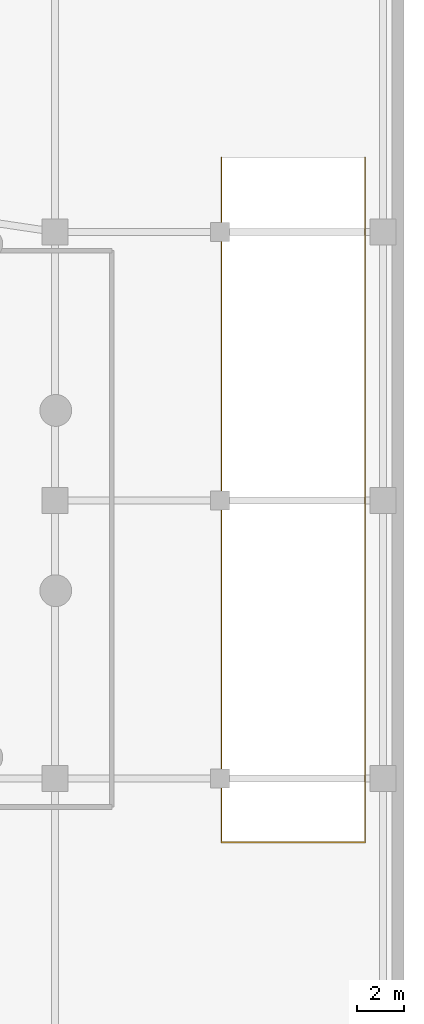
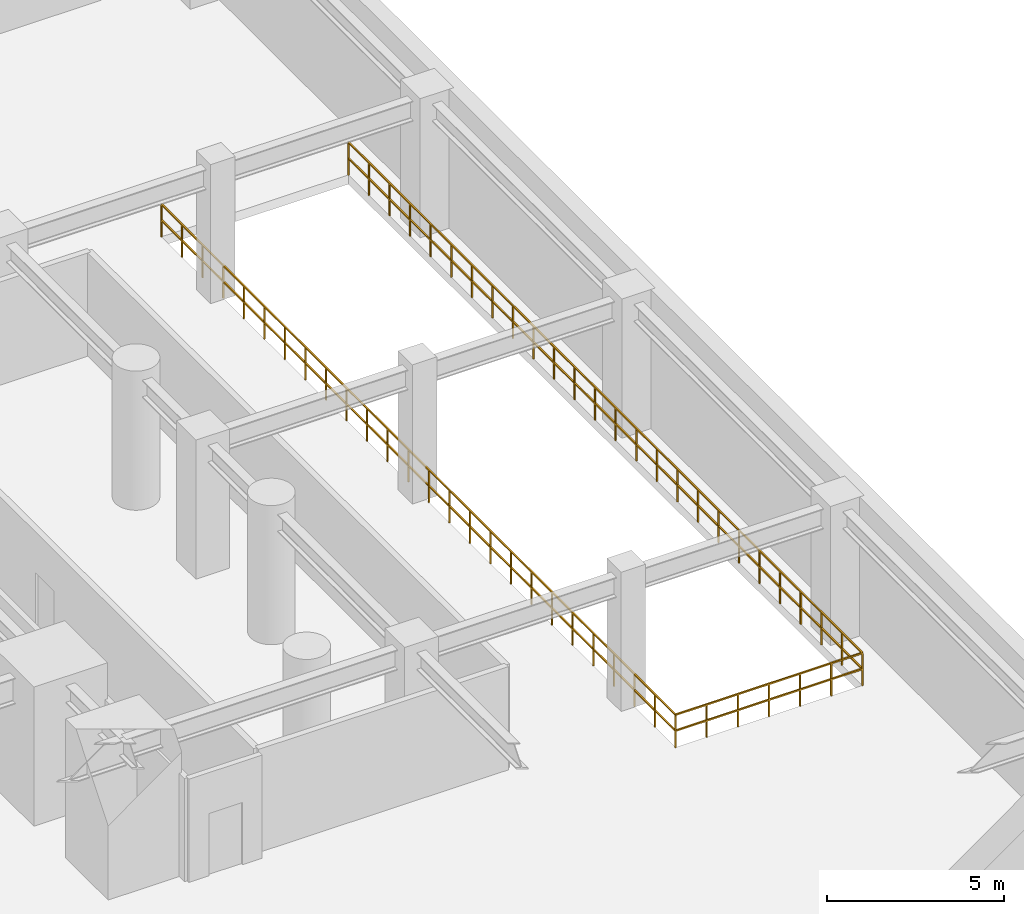
# One storey, part 7 of 7: 1 railing.
"""IFC4 building model written with IfcOpenShell, lengths in metres."""

import ifcopenshell
import ifcopenshell.guid

model = None  # the IFC model being written
_history = None  # IfcOwnerHistory: only IFC2X3 demands one
_inside = {}  # id of a spatial element -> (the spatial element, [elements in it])
_under = {}  # id of a project, library or spatial element -> (it, [spatial elements below it])
_declared = {}  # id of a project -> (the project, [libraries it declares])
_typed = {}  # id of a type object -> (the type object, [elements of that type])
_made_of = {}  # id of a material, layer set ... -> (it, [elements and type objects made of it])


def new_model(schema):
    """Start an empty IFC model of exactly this schema.

    Asked for "IFC4X3", IfcOpenShell would pick the latest addendum, in which some entities
    have other attributes; the version numbers below select the first issue.
    IFC2X3 requires an IfcOwnerHistory on every rooted entity: one is made here for all.
    """
    global model, _history
    if schema == "IFC4X3":
        model = ifcopenshell.file(schema_version=(4, 3, 0, 0))
    else:
        model = ifcopenshell.file(schema=schema)
    _inside.clear()
    _under.clear()
    _declared.clear()
    _typed.clear()
    _made_of.clear()
    _history = None
    if model.schema == "IFC2X3":
        org = make("IfcOrganization", Name="unknown")
        user = make(
            "IfcPersonAndOrganization",
            ThePerson=make("IfcPerson", FamilyName="unknown"),
            TheOrganization=org,
        )
        app = make(
            "IfcApplication",
            ApplicationDeveloper=org,
            Version="unknown",
            ApplicationFullName="unknown",
            ApplicationIdentifier="unknown",
        )
        _history = make(
            "IfcOwnerHistory",
            OwningUser=user,
            OwningApplication=app,
            ChangeAction="ADDED",
            CreationDate=0,
        )
    return model


def make(cls, **values):
    """One entity of the class cls with the attributes given. An attribute that is None is left unset."""
    return model.create_entity(
        cls, **{name: value for name, value in values.items() if value is not None}
    )


def rooted(cls, **values):
    """An entity with a GlobalId (a new one), such as an element, a storey or a relation."""
    return make(cls, GlobalId=ifcopenshell.guid.new(), OwnerHistory=_history, **values)


def si_unit(unit_type, name, prefix=None):
    """IfcSIUnit, for example si_unit("LENGTHUNIT", "METRE", prefix="MILLI")."""
    return make("IfcSIUnit", UnitType=unit_type, Prefix=prefix, Name=name)


def assignment(units):
    """IfcUnitAssignment: the units of a project."""
    return None if units is None else make("IfcUnitAssignment", Units=units)


def point(xyz):
    """IfcCartesianPoint."""
    return None if xyz is None else make("IfcCartesianPoint", Coordinates=xyz)


def direction(xyz):
    """IfcDirection."""
    return None if xyz is None else make("IfcDirection", DirectionRatios=xyz)


def frame(location, z_axis=None, x_axis=None):
    """IfcAxis2Placement3D, a coordinate frame: its origin and axes. An axis left out is left unset."""
    return make(
        "IfcAxis2Placement3D",
        Location=point(location),
        Axis=direction(z_axis),
        RefDirection=direction(x_axis),
    )


def frame_2d(location, x_axis=None):
    """IfcAxis2Placement2D, a coordinate frame in the plane: its origin and x axis."""
    return make(
        "IfcAxis2Placement2D", Location=point(location), RefDirection=direction(x_axis)
    )


def origin():
    """The frame at (0, 0, 0) with its axes left unset."""
    return frame((0.0, 0.0, 0.0))


def origin_2d():
    """The frame at (0, 0) in the plane with its x axis left unset."""
    return frame_2d((0.0, 0.0))


def place(relative_to, where):
    """IfcLocalPlacement: puts the frame where relative to a parent placement (None: the world)."""
    return make(
        "IfcLocalPlacement", PlacementRelTo=relative_to, RelativePlacement=where
    )


def context(
    kind, dimensions, precision=None, world=None, true_north=None, identifier=None
):
    """IfcGeometricRepresentationContext, for example the 3D "Model" context."""
    return make(
        "IfcGeometricRepresentationContext",
        ContextIdentifier=identifier,
        ContextType=kind,
        CoordinateSpaceDimension=dimensions,
        Precision=precision,
        WorldCoordinateSystem=world,
        TrueNorth=true_north,
    )


def subcontext(parent, identifier, kind, view, scale=None):
    """IfcGeometricRepresentationSubContext, for example "Body" below "Model"."""
    return make(
        "IfcGeometricRepresentationSubContext",
        ContextIdentifier=identifier,
        ContextType=kind,
        ParentContext=parent,
        TargetScale=scale,
        TargetView=view,
    )


def project(units=None, contexts=None):
    """IfcProject with its units and contexts."""
    return rooted(
        "IfcProject",
        Name="project",
        RepresentationContexts=contexts,
        UnitsInContext=assignment(units),
    )


def spatial(cls, under=None, at=None, **own):
    """A site, building, storey or space (cls), placed at a placement, below another one or the project."""
    s = rooted(cls, ObjectPlacement=at, **own)
    if under is not None:
        _under.setdefault(under.id(), (under, []))[1].append(s)
    return s


def profile(cls, at=None, kind="AREA", **sizes):
    """A parametric profile (cls). Its sizes go by their IFC names, for example OverallWidth=200.0."""
    return make(cls, ProfileType=kind, Position=at, **sizes)


def rectangle(**sizes):
    """IfcRectangleProfileDef."""
    return profile("IfcRectangleProfileDef", **sizes)


def extrude(swept, where, along, depth):
    """IfcExtrudedAreaSolid: the profile swept, set in the frame where, extruded along a direction by depth."""
    return make(
        "IfcExtrudedAreaSolid",
        SweptArea=swept,
        Position=where,
        ExtrudedDirection=direction(along),
        Depth=depth,
    )


def shape(context_of_items, identifier, shape_type, items):
    """IfcShapeRepresentation: the items that make up one representation, for example the "Body"."""
    return make(
        "IfcShapeRepresentation",
        ContextOfItems=context_of_items,
        RepresentationIdentifier=identifier,
        RepresentationType=shape_type,
        Items=items,
    )


def material(Name=None, Category=None):
    """IfcMaterial."""
    return make("IfcMaterial", Name=Name, Category=Category)


def made_of(thing, what):
    """Note that an element or type object is made of a material, layer set ...; save() writes the relation."""
    if what is not None:
        _made_of.setdefault(what.id(), (what, []))[1].append(thing)
    return thing


def type_object(cls, material=None, **own):
    """A type object (cls), such as IfcWallType, which elements share."""
    return made_of(rooted(cls, **own), material)


def element(
    cls,
    number,
    at=None,
    inside=None,
    cuts=None,
    type_object=None,
    material=None,
    context=None,
    identifier="Body",
    shape_type=None,
    held_by="IfcProductDefinitionShape",
    body=None,
    shapes=None,
    **own,
):
    """One element of the class cls, such as IfcWall. Its Tag is "e" and its number.

    at: its placement. inside: the storey or other place that contains it. cuts: it is an
    opening in that element (IfcRelVoidsElement). A single representation is given by context,
    identifier, shape_type and body (its items); several are given by shapes. held_by: the class
    of the entity that holds the representations. save() writes the other relations.
    """
    e = rooted(cls, Tag="e%d" % number, ObjectPlacement=at, **own)
    if body is not None:
        shapes = [shape(context, identifier, shape_type, body)]
    if shapes is not None:
        e.Representation = make(held_by, Representations=shapes)
    if inside is not None:
        _inside.setdefault(inside.id(), (inside, []))[1].append(e)
    if cuts is not None:
        rooted(
            "IfcRelVoidsElement", RelatingBuildingElement=cuts, RelatedOpeningElement=e
        )
    if type_object is not None:
        _typed.setdefault(type_object.id(), (type_object, []))[1].append(e)
    return made_of(e, material)


def aggregate(whole, parts):
    """IfcRelAggregates: a whole, such as a stair, and the parts it consists of."""
    return rooted("IfcRelAggregates", RelatingObject=whole, RelatedObjects=parts)


def save(model, path):
    """Write the relations noted so far, then the file.

    IfcRelAggregates (storeys below a building ...), IfcRelContainedInSpatialStructure (elements
    in a storey), IfcRelDefinesByType, IfcRelAssociatesMaterial and IfcRelDeclares: one each for
    every whole, place, type object, material and project.
    """
    for whole, parts in _under.values():
        aggregate(whole, parts)
    for where, things in _inside.values():
        rooted(
            "IfcRelContainedInSpatialStructure",
            RelatedElements=things,
            RelatingStructure=where,
        )
    for kind, things in _typed.values():
        rooted("IfcRelDefinesByType", RelatedObjects=things, RelatingType=kind)
    for what, things in _made_of.values():
        rooted("IfcRelAssociatesMaterial", RelatedObjects=things, RelatingMaterial=what)
    for by, libraries in _declared.values():
        rooted("IfcRelDeclares", RelatingContext=by, RelatedDefinitions=libraries)
    model.write(path)


model = new_model("IFC4")

# Units and contexts
model_context = context("Model", 3, precision=1e-05, world=origin(), true_north=direction((0.0, 1.0)))
body_context = subcontext(model_context, "Body", "Model", "MODEL_VIEW")
ifc_project = project(units=[si_unit("LENGTHUNIT", "METRE"), si_unit("AREAUNIT", "SQUARE_METRE"), si_unit("VOLUMEUNIT", "CUBIC_METRE"), si_unit("PLANEANGLEUNIT", "RADIAN"), si_unit("MASSUNIT", "GRAM", prefix="KILO"), si_unit("THERMODYNAMICTEMPERATUREUNIT", "KELVIN"), si_unit("POWERUNIT", "WATT")], contexts=[model_context])

# Site, building, storey
site_placement = place(None, origin())
site = spatial("IfcSite", under=ifc_project, at=site_placement, CompositionType="ELEMENT")
building_placement = place(site_placement, origin())
building = spatial("IfcBuilding", under=site, at=building_placement, Name="Ocrelia Relay Tower", CompositionType="ELEMENT")
storey_placement = place(building_placement, frame((0.0, 0.0, -4.800048828125)))
storey = spatial("IfcBuildingStorey", under=building, at=storey_placement, Name="B1", CompositionType="ELEMENT", Elevation=-4.800048828125)

# Railing
ifc_material = material(Name="Steel S355 atrium balustrade", Category="steel")
railing_type = type_object("IfcRailingType", Name="RL-INT-GUARD-115", PredefinedType="GUARDRAIL", material=ifc_material)
railing_placement = place(storey_placement, frame((66.35009765625, 40.550048828125, 0.0)))
element("IfcRailing", 1, at=railing_placement, inside=storey, type_object=railing_type, Name="B1 East Ramp Well Perimeter Guard", PredefinedType="GUARDRAIL", context=body_context, shape_type="SweptSolid", body=[
    extrude(rectangle(XDim=0.048095703125, YDim=0.048095703125, at=origin_2d()), frame((0.0, 0.0, 1.1259765625), z_axis=(0.0, -1.0, 0.0), x_axis=(1.0, 0.0, 0.0)), (0.0, 0.0, 1.0), 29.050048828125),
    extrude(rectangle(XDim=0.048095703125, YDim=0.048095703125, at=origin_2d()), frame((0.0, 0.0, 0.574951171875), z_axis=(0.0, -1.0, 0.0), x_axis=(1.0, 0.0, 0.0)), (0.0, 0.0, 1.0), 29.050048828125),
    extrude(rectangle(XDim=0.048095703125, YDim=0.048095703125, at=origin_2d()), frame((0.0, -29.050048828125, 1.1259765625), z_axis=(-1.0, 0.0, 0.0), x_axis=(0.0, -1.0, 0.0)), (0.0, 0.0, 1.0), 6.10009765625),
    extrude(rectangle(XDim=0.048095703125, YDim=0.048095703125, at=origin_2d()), frame((0.0, -29.050048828125, 0.574951171875), z_axis=(-1.0, 0.0, 0.0), x_axis=(0.0, -1.0, 0.0)), (0.0, 0.0, 1.0), 6.10009765625),
    extrude(rectangle(XDim=0.048095703125, YDim=0.048095703125, at=origin_2d()), frame((-6.10009765625, -29.050048828125, 1.1259765625), z_axis=(0.0, 1.0, 0.0), x_axis=(-1.0, 0.0, 0.0)), (0.0, 0.0, 1.0), 29.050048828125),
    extrude(rectangle(XDim=0.048095703125, YDim=0.048095703125, at=origin_2d()), frame((-6.10009765625, -29.050048828125, 0.574951171875), z_axis=(0.0, 1.0, 0.0), x_axis=(-1.0, 0.0, 0.0)), (0.0, 0.0, 1.0), 29.050048828125),
    extrude(rectangle(XDim=0.0419921875, YDim=0.0419921875, at=origin_2d()), origin(), (0.0, 0.0, 1.0), 1.101806640625),
    extrude(rectangle(XDim=0.0419921875, YDim=0.0419921875, at=origin_2d()), frame((0.0, -1.162109375, 0.0)), (0.0, 0.0, 1.0), 1.101806640625),
    extrude(rectangle(XDim=0.0419921875, YDim=0.0419921875, at=origin_2d()), frame((0.0, -2.323974609375, 0.0)), (0.0, 0.0, 1.0), 1.101806640625),
    extrude(rectangle(XDim=0.0419921875, YDim=0.0419921875, at=origin_2d()), frame((0.0, -3.486083984375, 0.0)), (0.0, 0.0, 1.0), 1.101806640625),
    extrude(rectangle(XDim=0.0419921875, YDim=0.0419921875, at=origin_2d()), frame((0.0, -4.64794921875, 0.0)), (0.0, 0.0, 1.0), 1.101806640625),
    extrude(rectangle(XDim=0.0419921875, YDim=0.0419921875, at=origin_2d()), frame((0.0, -5.81005859375, 0.0)), (0.0, 0.0, 1.0), 1.101806640625),
    extrude(rectangle(XDim=0.0419921875, YDim=0.0419921875, at=origin_2d()), frame((0.0, -6.971923828125, 0.0)), (0.0, 0.0, 1.0), 1.101806640625),
    extrude(rectangle(XDim=0.0419921875, YDim=0.0419921875, at=origin_2d()), frame((0.0, -8.134033203125, 0.0)), (0.0, 0.0, 1.0), 1.101806640625),
    extrude(rectangle(XDim=0.0419921875, YDim=0.0419921875, at=origin_2d()), frame((0.0, -9.2958984375, 0.0)), (0.0, 0.0, 1.0), 1.101806640625),
    extrude(rectangle(XDim=0.0419921875, YDim=0.0419921875, at=origin_2d()), frame((0.0, -10.4580078125, 0.0)), (0.0, 0.0, 1.0), 1.101806640625),
    extrude(rectangle(XDim=0.0419921875, YDim=0.0419921875, at=origin_2d()), frame((0.0, -11.6201171875, 0.0)), (0.0, 0.0, 1.0), 1.101806640625),
    extrude(rectangle(XDim=0.0419921875, YDim=0.0419921875, at=origin_2d()), frame((0.0, -12.781982421875, 0.0)), (0.0, 0.0, 1.0), 1.101806640625),
    extrude(rectangle(XDim=0.0419921875, YDim=0.0419921875, at=origin_2d()), frame((0.0, -13.944091796875, 0.0)), (0.0, 0.0, 1.0), 1.101806640625),
    extrude(rectangle(XDim=0.0419921875, YDim=0.0419921875, at=origin_2d()), frame((0.0, -15.10595703125, 0.0)), (0.0, 0.0, 1.0), 1.101806640625),
    extrude(rectangle(XDim=0.0419921875, YDim=0.0419921875, at=origin_2d()), frame((0.0, -16.26806640625, 0.0)), (0.0, 0.0, 1.0), 1.101806640625),
    extrude(rectangle(XDim=0.0419921875, YDim=0.0419921875, at=origin_2d()), frame((0.0, -17.429931640625, 0.0)), (0.0, 0.0, 1.0), 1.101806640625),
    extrude(rectangle(XDim=0.0419921875, YDim=0.0419921875, at=origin_2d()), frame((0.0, -18.592041015625, 0.0)), (0.0, 0.0, 1.0), 1.101806640625),
    extrude(rectangle(XDim=0.0419921875, YDim=0.0419921875, at=origin_2d()), frame((0.0, -19.754150390625, 0.0)), (0.0, 0.0, 1.0), 1.101806640625),
    extrude(rectangle(XDim=0.0419921875, YDim=0.0419921875, at=origin_2d()), frame((0.0, -20.916015625, 0.0)), (0.0, 0.0, 1.0), 1.101806640625),
    extrude(rectangle(XDim=0.0419921875, YDim=0.0419921875, at=origin_2d()), frame((0.0, -22.078125, 0.0)), (0.0, 0.0, 1.0), 1.101806640625),
    extrude(rectangle(XDim=0.0419921875, YDim=0.0419921875, at=origin_2d()), frame((0.0, -23.239990234375, 0.0)), (0.0, 0.0, 1.0), 1.101806640625),
    extrude(rectangle(XDim=0.0419921875, YDim=0.0419921875, at=origin_2d()), frame((0.0, -24.402099609375, 0.0)), (0.0, 0.0, 1.0), 1.101806640625),
    extrude(rectangle(XDim=0.0419921875, YDim=0.0419921875, at=origin_2d()), frame((0.0, -25.56396484375, 0.0)), (0.0, 0.0, 1.0), 1.101806640625),
    extrude(rectangle(XDim=0.0419921875, YDim=0.0419921875, at=origin_2d()), frame((0.0, -26.72607421875, 0.0)), (0.0, 0.0, 1.0), 1.101806640625),
    extrude(rectangle(XDim=0.0419921875, YDim=0.0419921875, at=origin_2d()), frame((0.0, -27.887939453125, 0.0)), (0.0, 0.0, 1.0), 1.101806640625),
    extrude(rectangle(XDim=0.0419921875, YDim=0.0419921875, at=origin_2d()), frame((0.0, -29.050048828125, 0.0)), (0.0, 0.0, 1.0), 1.101806640625),
    extrude(rectangle(XDim=0.0419921875, YDim=0.0419921875, at=origin_2d()), frame((-1.0166015625, -29.050048828125, 0.0)), (0.0, 0.0, 1.0), 1.101806640625),
    extrude(rectangle(XDim=0.0419921875, YDim=0.0419921875, at=origin_2d()), frame((-2.033447265625, -29.050048828125, 0.0)), (0.0, 0.0, 1.0), 1.101806640625),
    extrude(rectangle(XDim=0.0419921875, YDim=0.0419921875, at=origin_2d()), frame((-3.050048828125, -29.050048828125, 0.0)), (0.0, 0.0, 1.0), 1.101806640625),
    extrude(rectangle(XDim=0.0419921875, YDim=0.0419921875, at=origin_2d()), frame((-4.066650390625, -29.050048828125, 0.0)), (0.0, 0.0, 1.0), 1.101806640625),
    extrude(rectangle(XDim=0.0419921875, YDim=0.0419921875, at=origin_2d()), frame((-5.08349609375, -29.050048828125, 0.0)), (0.0, 0.0, 1.0), 1.101806640625),
    extrude(rectangle(XDim=0.0419921875, YDim=0.0419921875, at=origin_2d()), frame((-6.10009765625, -29.050048828125, 0.0)), (0.0, 0.0, 1.0), 1.101806640625),
    extrude(rectangle(XDim=0.0419921875, YDim=0.0419921875, at=origin_2d()), frame((-6.10009765625, -27.887939453125, 0.0)), (0.0, 0.0, 1.0), 1.101806640625),
    extrude(rectangle(XDim=0.0419921875, YDim=0.0419921875, at=origin_2d()), frame((-6.10009765625, -26.72607421875, 0.0)), (0.0, 0.0, 1.0), 1.101806640625),
    extrude(rectangle(XDim=0.0419921875, YDim=0.0419921875, at=origin_2d()), frame((-6.10009765625, -25.56396484375, 0.0)), (0.0, 0.0, 1.0), 1.101806640625),
    extrude(rectangle(XDim=0.0419921875, YDim=0.0419921875, at=origin_2d()), frame((-6.10009765625, -24.402099609375, 0.0)), (0.0, 0.0, 1.0), 1.101806640625),
    extrude(rectangle(XDim=0.0419921875, YDim=0.0419921875, at=origin_2d()), frame((-6.10009765625, -23.239990234375, 0.0)), (0.0, 0.0, 1.0), 1.101806640625),
    extrude(rectangle(XDim=0.0419921875, YDim=0.0419921875, at=origin_2d()), frame((-6.10009765625, -22.078125, 0.0)), (0.0, 0.0, 1.0), 1.101806640625),
    extrude(rectangle(XDim=0.0419921875, YDim=0.0419921875, at=origin_2d()), frame((-6.10009765625, -20.916015625, 0.0)), (0.0, 0.0, 1.0), 1.101806640625),
    extrude(rectangle(XDim=0.0419921875, YDim=0.0419921875, at=origin_2d()), frame((-6.10009765625, -19.754150390625, 0.0)), (0.0, 0.0, 1.0), 1.101806640625),
    extrude(rectangle(XDim=0.0419921875, YDim=0.0419921875, at=origin_2d()), frame((-6.10009765625, -18.592041015625, 0.0)), (0.0, 0.0, 1.0), 1.101806640625),
    extrude(rectangle(XDim=0.0419921875, YDim=0.0419921875, at=origin_2d()), frame((-6.10009765625, -17.429931640625, 0.0)), (0.0, 0.0, 1.0), 1.101806640625),
    extrude(rectangle(XDim=0.0419921875, YDim=0.0419921875, at=origin_2d()), frame((-6.10009765625, -16.26806640625, 0.0)), (0.0, 0.0, 1.0), 1.101806640625),
    extrude(rectangle(XDim=0.0419921875, YDim=0.0419921875, at=origin_2d()), frame((-6.10009765625, -15.10595703125, 0.0)), (0.0, 0.0, 1.0), 1.101806640625),
    extrude(rectangle(XDim=0.0419921875, YDim=0.0419921875, at=origin_2d()), frame((-6.10009765625, -13.944091796875, 0.0)), (0.0, 0.0, 1.0), 1.101806640625),
    extrude(rectangle(XDim=0.0419921875, YDim=0.0419921875, at=origin_2d()), frame((-6.10009765625, -12.781982421875, 0.0)), (0.0, 0.0, 1.0), 1.101806640625),
    extrude(rectangle(XDim=0.0419921875, YDim=0.0419921875, at=origin_2d()), frame((-6.10009765625, -11.6201171875, 0.0)), (0.0, 0.0, 1.0), 1.101806640625),
    extrude(rectangle(XDim=0.0419921875, YDim=0.0419921875, at=origin_2d()), frame((-6.10009765625, -10.4580078125, 0.0)), (0.0, 0.0, 1.0), 1.101806640625),
    extrude(rectangle(XDim=0.0419921875, YDim=0.0419921875, at=origin_2d()), frame((-6.10009765625, -9.2958984375, 0.0)), (0.0, 0.0, 1.0), 1.101806640625),
    extrude(rectangle(XDim=0.0419921875, YDim=0.0419921875, at=origin_2d()), frame((-6.10009765625, -8.134033203125, 0.0)), (0.0, 0.0, 1.0), 1.101806640625),
    extrude(rectangle(XDim=0.0419921875, YDim=0.0419921875, at=origin_2d()), frame((-6.10009765625, -6.971923828125, 0.0)), (0.0, 0.0, 1.0), 1.101806640625),
    extrude(rectangle(XDim=0.0419921875, YDim=0.0419921875, at=origin_2d()), frame((-6.10009765625, -5.81005859375, 0.0)), (0.0, 0.0, 1.0), 1.101806640625),
    extrude(rectangle(XDim=0.0419921875, YDim=0.0419921875, at=origin_2d()), frame((-6.10009765625, -4.64794921875, 0.0)), (0.0, 0.0, 1.0), 1.101806640625),
    extrude(rectangle(XDim=0.0419921875, YDim=0.0419921875, at=origin_2d()), frame((-6.10009765625, -3.486083984375, 0.0)), (0.0, 0.0, 1.0), 1.101806640625),
    extrude(rectangle(XDim=0.0419921875, YDim=0.0419921875, at=origin_2d()), frame((-6.10009765625, -2.323974609375, 0.0)), (0.0, 0.0, 1.0), 1.101806640625),
    extrude(rectangle(XDim=0.0419921875, YDim=0.0419921875, at=origin_2d()), frame((-6.10009765625, -1.162109375, 0.0)), (0.0, 0.0, 1.0), 1.101806640625),
    extrude(rectangle(XDim=0.0419921875, YDim=0.0419921875, at=origin_2d()), frame((-6.10009765625, 0.0, 0.0)), (0.0, 0.0, 1.0), 1.101806640625),
])

save(model, "model.ifc")
